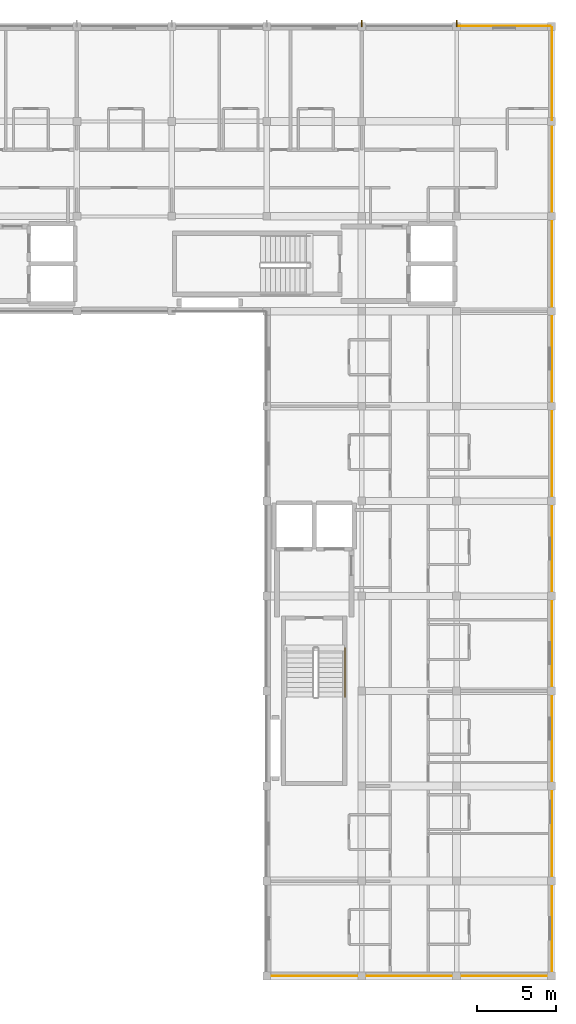
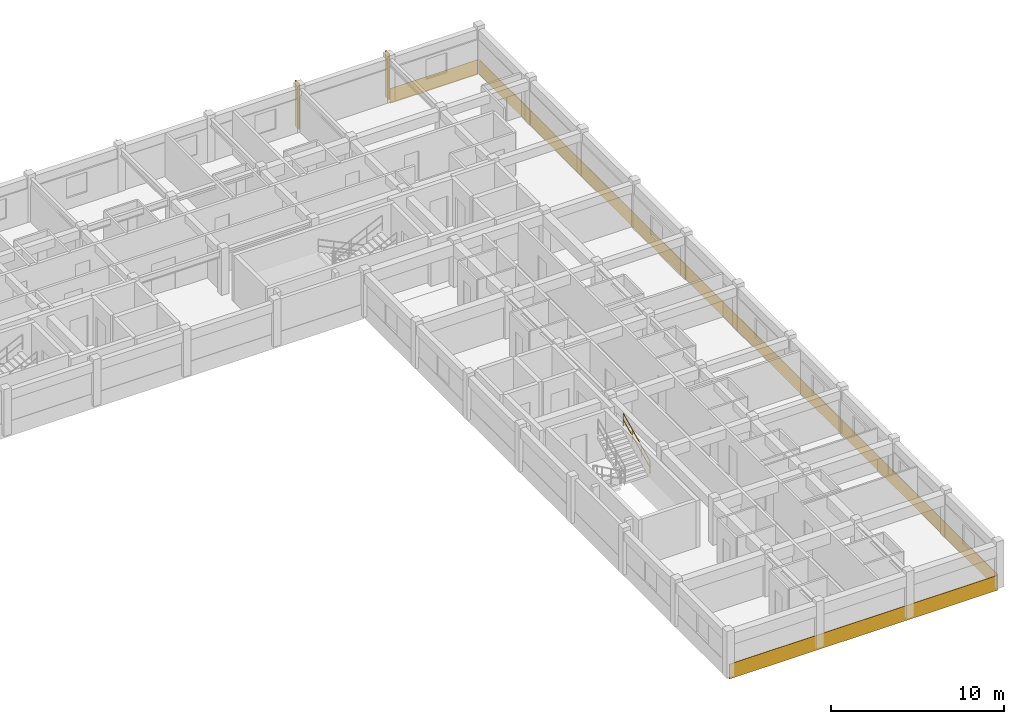
# One storey, part 14 of 14: 6 coverings, 2 shading devices, 1 railing.
"""IFC4 building model written with IfcOpenShell, lengths in metres."""

from ifc_helpers import new_model, si_unit, direction, frame, origin, origin_2d, place, context, subcontext, project, spatial, polyline, rectangle, circle, outline, extrude, material, layer, layer_set, type_object, element, save


model = new_model("IFC4")

# Units and contexts
model_context = context("Model", 3, precision=1e-05, world=origin(), true_north=direction((0.0, 1.0)))
body_context = subcontext(model_context, "Body", "Model", "MODEL_VIEW")
ifc_project = project(units=[si_unit("LENGTHUNIT", "METRE"), si_unit("AREAUNIT", "SQUARE_METRE"), si_unit("VOLUMEUNIT", "CUBIC_METRE"), si_unit("PLANEANGLEUNIT", "RADIAN"), si_unit("MASSUNIT", "GRAM", prefix="KILO"), si_unit("THERMODYNAMICTEMPERATUREUNIT", "KELVIN"), si_unit("POWERUNIT", "WATT")], contexts=[model_context])

# Site, building, storey
site_placement = place(None, origin())
site = spatial("IfcSite", under=ifc_project, at=site_placement, CompositionType="ELEMENT")
building_placement = place(site_placement, origin())
building = spatial("IfcBuilding", under=site, at=building_placement, Name="Phaisarnlok Congress Hotel", CompositionType="ELEMENT")
storey_placement = place(building_placement, frame((0.0, 0.0, 48.0)))
storey = spatial("IfcBuildingStorey", under=building, at=storey_placement, Name="L12", CompositionType="ELEMENT", Elevation=48.0)

# Coverings
ifc_material_1 = material(Name="Anodised Silver Aluminium Alloy 6063-T6", Category="aluminium")
ifc_layer_1 = layer(ifc_material_1, 0.031982421875, Name="Anodised Silver Aluminium Alloy 6063-T6")
ifc_layer_set_1 = layer_set([ifc_layer_1], Name="Anodised Silver Aluminium Alloy 6063-T6")
covering_type = type_object("IfcCoveringType", Name="COV-SPAND-ALU", PredefinedType="CLADDING", material=ifc_layer_set_1)
covering_1_placement = place(storey_placement, frame((179.93994140625, 125.9951171875, -0.280029296875), z_axis=(0.0, 1.0, 0.0), x_axis=(-1.0, 0.0, 0.0)))
element("IfcCovering", 1, at=covering_1_placement, inside=storey, type_object=covering_type, Name="Swiss minimalist anodised silver rainscreen band CL-02 (L12 N)", PredefinedType="CLADDING", context=body_context, shape_type="SweptSolid", body=[
    extrude(outline(polyline([(0.0, 0.0), (5.8798828125, 0.0), (5.8798828125, 1.050048828125), (0.0, 1.050048828125), (0.0, 0.0)])), origin(), (0.0, 0.0, 1.0), 0.031982421875),
])
for number, where, z_axis, x_axis, name in (
    (2, (179.9951171875, 66.06005859375, -0.280029296875), (1.0, 0.0, 0.0), (0.0, 1.0, 0.0), "Swiss minimalist anodised silver rainscreen band CL-02 (L12 E)"),
    (3, (179.9951171875, 84.06005859375, -0.280029296875), (1.0, 0.0, 0.0), (0.0, 1.0, 0.0), "Swiss minimalist anodised silver rainscreen band CL-02 (L12 E)"),
    (4, (179.9951171875, 102.06005859375, -0.280029296875), (1.0, 0.0, 0.0), (0.0, 1.0, 0.0), "Swiss minimalist anodised silver rainscreen band CL-02 (L12 E)"),
):
    element("IfcCovering", number, at=place(storey_placement, frame(where, z_axis=z_axis, x_axis=x_axis)), inside=storey, type_object=covering_type, Name=name, PredefinedType="CLADDING", context=body_context, shape_type="SweptSolid", body=[
        extrude(outline(polyline([(0.0, 0.0), (18.0, 0.0), (18.0, 1.050048828125), (0.0, 1.050048828125), (0.0, 0.0)])), origin(), (0.0, 0.0, 1.0), 0.031982421875),
    ])
covering_2_placement = place(storey_placement, frame((179.9951171875, 120.06005859375, -0.280029296875), z_axis=(1.0, 0.0, 0.0), x_axis=(0.0, 1.0, 0.0)))
element("IfcCovering", 5, at=covering_2_placement, inside=storey, type_object=covering_type, Name="Swiss minimalist anodised silver rainscreen band CL-02 (L12 E)", PredefinedType="CLADDING", context=body_context, shape_type="SweptSolid", body=[
    extrude(outline(polyline([(0.0, 0.0), (5.8798828125, 0.0), (5.8798828125, 1.050048828125), (0.0, 1.050048828125), (0.0, 0.0)])), origin(), (0.0, 0.0, 1.0), 0.031982421875),
])
covering_3_placement = place(storey_placement, frame((162.06005859375, 66.0048828125, -0.280029296875), z_axis=(0.0, -1.0, 0.0), x_axis=(1.0, 0.0, 0.0)))
element("IfcCovering", 6, at=covering_3_placement, inside=storey, type_object=covering_type, Name="Swiss minimalist anodised silver rainscreen band CL-02 (L12 SG)", PredefinedType="CLADDING", context=body_context, shape_type="SweptSolid", body=[
    extrude(outline(polyline([(0.0, 0.0), (17.8798828125, 0.0), (17.8798828125, 1.050048828125), (0.0, 1.050048828125), (0.0, 0.0)])), origin(), (0.0, 0.0, 1.0), 0.031982421875),
])

# Railing
ifc_material_2 = material(Name="Brushed Stainless Steel Grade 304", Category="steel")
railing_type = type_object("IfcRailingType", Name="RLG-STR-HRAIL", PredefinedType="HANDRAIL", material=ifc_material_2)
railing_placement = place(storey_placement, frame((166.949951171875, 83.6201171875, 1.800048828125)))
element("IfcRailing", 7, at=railing_placement, inside=storey, type_object=railing_type, Name="L12 ST-09 stair handrail 2", PredefinedType="HANDRAIL", context=body_context, shape_type="SweptSolid", body=[
    extrude(circle(Radius=0.02392578125, at=origin_2d()), frame((0.0, 0.0, 0.8759765625), z_axis=(0.0, 0.900151181449, 0.435577605641), x_axis=(-1.0, 0.0, 0.0)), (0.0, 0.0, 1.0), 3.443603515625),
    extrude(circle(Radius=0.02392578125, at=origin_2d()), frame((0.0, 0.0, 0.42578125), z_axis=(0.0, 0.900151181449, 0.435577605641), x_axis=(-1.0, 0.0, 0.0)), (0.0, 0.0, 1.0), 3.443603515625),
    extrude(circle(Radius=0.02099609375, at=origin_2d()), origin(), (0.0, 0.0, 1.0), 0.851806640625),
    extrude(circle(Radius=0.02099609375, at=origin_2d()), frame((0.0, 1.033203125, 0.5)), (0.0, 0.0, 1.0), 0.851806640625),
    extrude(circle(Radius=0.02099609375, at=origin_2d()), frame((0.0, 2.066650390625, 1.0)), (0.0, 0.0, 1.0), 0.851806640625),
    extrude(circle(Radius=0.02099609375, at=origin_2d()), frame((0.0, 3.099853515625, 1.5)), (0.0, 0.0, 1.0), 0.851806640625),
])

# Shading devices
ifc_material_3 = material(Name="Anodised Champagne Aluminium Alloy 6063", Category="aluminium")
ifc_layer_2 = layer(ifc_material_3, 0.050048828125, Name="Anodised Champagne Aluminium Alloy 6063")
ifc_layer_set_2 = layer_set([ifc_layer_2], Name="Anodised Champagne Aluminium Alloy 6063")
shading_device_type = type_object("IfcShadingDeviceType", Name="SHD-FIN-VERT", PredefinedType="SHUTTER", material=ifc_layer_set_2)
for number, where, z_axis, x_axis, name in (
    (8, (168.0, 126.179931640625, 0.0400390625), (0.0, 0.0, 1.0), (1.0, 0.0, 0.0), "Hotel vertical solar fin SF-01 (L12)"),
    (9, (174.0, 126.179931640625, 0.0400390625), (0.0, 0.0, 1.0), (1.0, 0.0, 0.0), "Hotel vertical solar fin SF-01 (L12)"),
):
    element("IfcShadingDevice", number, at=place(storey_placement, frame(where, z_axis=z_axis, x_axis=x_axis)), inside=storey, type_object=shading_device_type, Name=name, PredefinedType="SHUTTER", context=body_context, shape_type="SweptSolid", body=[
        extrude(rectangle(XDim=0.080078125, YDim=0.43994140625, at=origin_2d()), origin(), (0.0, 0.0, 1.0), 3.219970703125),
    ])

save(model, "model.ifc")
